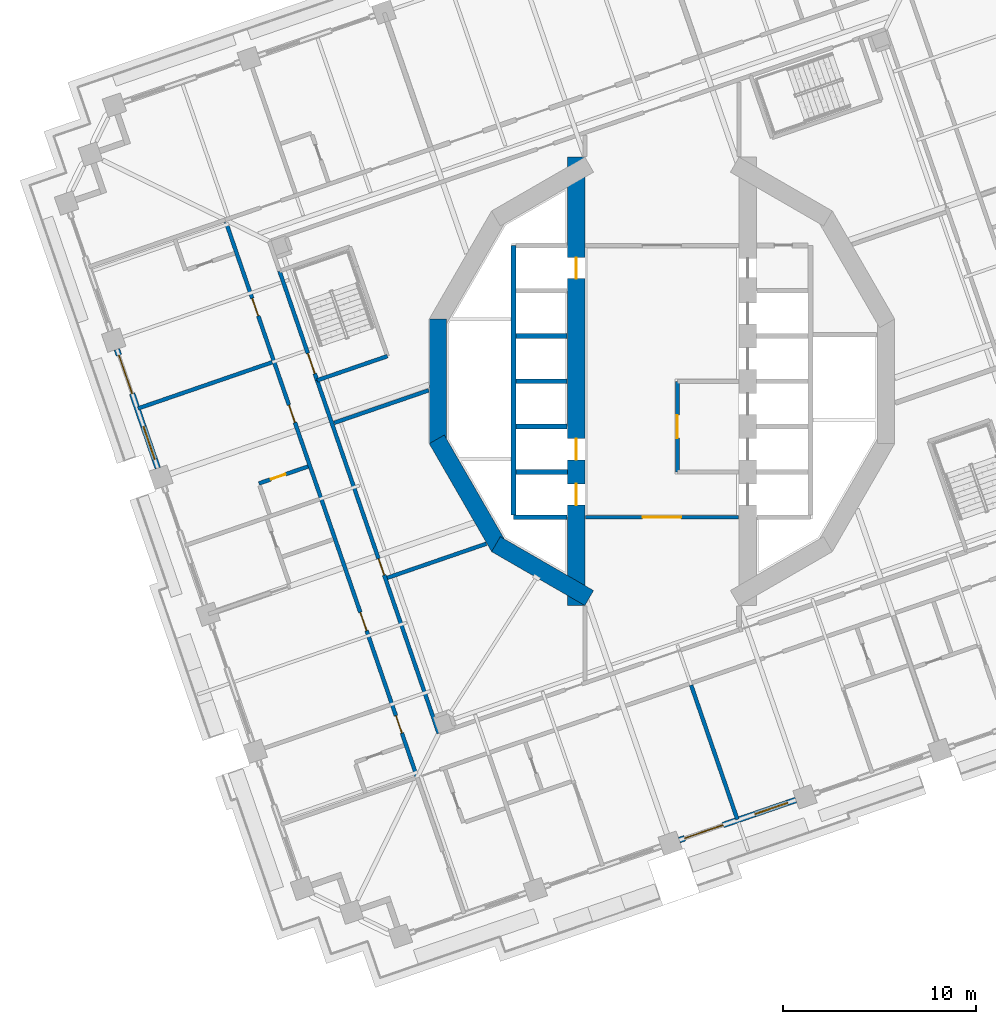
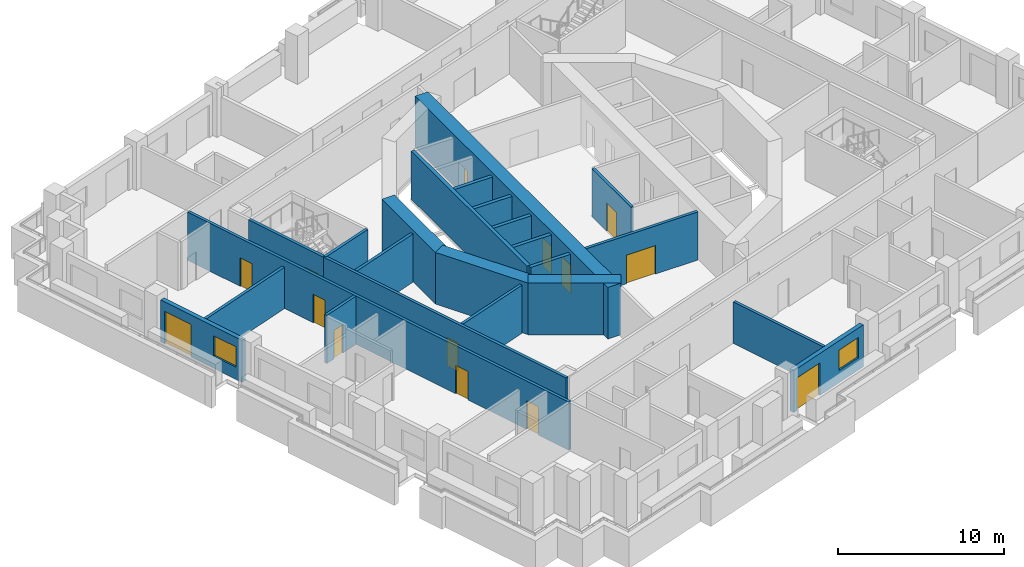
# One storey, part 5 of 18: 23 walls, 14 doors, 2 windows, 16 openings.
"""IFC4 building model written with IfcOpenShell, lengths in metres."""

from ifc_helpers import new_model, si_unit, direction, frame, frame_2d, origin, place, context, subcontext, project, spatial, rectangle, extrude, material, layer, layer_set, type_object, element, fill, save


model = new_model("IFC4")

# Units and contexts
model_context = context("Model", 3, precision=1e-05, world=origin(), true_north=direction((0.0, 1.0)))
body_context = subcontext(model_context, "Body", "Model", "MODEL_VIEW")
ifc_project = project(units=[si_unit("LENGTHUNIT", "METRE"), si_unit("AREAUNIT", "SQUARE_METRE"), si_unit("VOLUMEUNIT", "CUBIC_METRE"), si_unit("PLANEANGLEUNIT", "RADIAN"), si_unit("MASSUNIT", "GRAM", prefix="KILO")], contexts=[model_context])

# Site, building, storey
site_placement = place(None, origin())
site = spatial("IfcSite", under=ifc_project, at=site_placement, CompositionType="ELEMENT")
building_placement = place(site_placement, origin())
building = spatial("IfcBuilding", under=site, at=building_placement, Name="Cantera Rosa Tower", CompositionType="ELEMENT")
storey_placement = place(building_placement, frame((0.0, 0.0, 134.5)))
storey = spatial("IfcBuildingStorey", under=building, at=storey_placement, Name="L28", CompositionType="ELEMENT", Elevation=134.5)

# Wall, openings, doors
ifc_material_1 = material(Name="Gypsum board partition")
ifc_layer_1 = layer(ifc_material_1, 0.199951171875)
ifc_layer_set_1 = layer_set([ifc_layer_1], Name="CORRIDOR WALL 200 H3550")
wall_type_1 = type_object("IfcWallType", Name="CORRIDOR WALL 200 H3550", PredefinedType="PARTITIONING", material=ifc_layer_set_1)
wall_1_placement = place(storey_placement, frame((-22.623291015625, 8.264892578125, 0.0), z_axis=(0.0, 0.0, 1.0), x_axis=(0.325567058058, -0.945518953119, 0.0)))
wall_1 = element("IfcWall", 1, at=wall_1_placement, inside=storey, type_object=wall_type_1, Name="CORRIDOR WALL L28-003", PredefinedType="PARTITIONING", context=body_context, shape_type="SweptSolid", body=[
    extrude(rectangle(XDim=30.480224609375, YDim=0.199951171875, at=frame_2d((15.240234375, 0.0))), origin(), (0.0, 0.0, 1.0), 3.550048828125),
])
opening_1_placement = place(wall_1_placement, frame((4.195068359375, 0.0, 0.0)))
opening_1 = element("IfcOpeningElement", 2, at=opening_1_placement, cuts=wall_1, Name="Opening L28-030", PredefinedType="OPENING", context=body_context, shape_type="SweptSolid", body=[
    extrude(rectangle(XDim=0.949951171875, YDim=2.10009765625, at=frame_2d((0.47509765625, 1.050048828125))), frame((0.0, 0.10986328125, 0.0), z_axis=(0.0, -1.0, 0.0), x_axis=(1.0, 0.0, 0.0)), (0.0, 0.0, 1.0), 0.219970703125),
])
opening_2_placement = place(wall_1_placement, frame((10.044921875, 0.0, 0.0)))
opening_2 = element("IfcOpeningElement", 3, at=opening_2_placement, cuts=wall_1, Name="Opening L28-032", PredefinedType="OPENING", context=body_context, shape_type="SweptSolid", body=[
    extrude(rectangle(XDim=0.949951171875, YDim=2.10009765625, at=frame_2d((0.47509765625, 1.050048828125))), frame((0.0, 0.10986328125, 0.0), z_axis=(0.0, -1.0, 0.0), x_axis=(1.0, 0.0, 0.0)), (0.0, 0.0, 1.0), 0.219970703125),
])
opening_3_placement = place(wall_1_placement, frame((21.419921875, 0.0, 0.0)))
opening_3 = element("IfcOpeningElement", 4, at=opening_3_placement, cuts=wall_1, Name="Opening L28-034", PredefinedType="OPENING", context=body_context, shape_type="SweptSolid", body=[
    extrude(rectangle(XDim=1.0, YDim=2.10009765625, at=frame_2d((0.5, 1.050048828125))), frame((0.0, 0.10986328125, 0.0), z_axis=(0.0, -1.0, 0.0), x_axis=(1.0, 0.0, 0.0)), (0.0, 0.0, 1.0), 0.219970703125),
])
opening_4_placement = place(wall_1_placement, frame((27.094970703125, 0.0, 0.0)))
opening_4 = element("IfcOpeningElement", 5, at=opening_4_placement, cuts=wall_1, Name="Opening L28-037", PredefinedType="OPENING", context=body_context, shape_type="SweptSolid", body=[
    extrude(rectangle(XDim=0.949951171875, YDim=2.10009765625, at=frame_2d((0.47509765625, 1.050048828125))), frame((0.0, 0.10986328125, 0.0), z_axis=(0.0, -1.0, 0.0), x_axis=(1.0, 0.0, 0.0)), (0.0, 0.0, 1.0), 0.219970703125),
])
ifc_material_2 = material(Name="Timber door leaf", Category="wood")
door_type_1 = type_object("IfcDoorType", Name="ENTRANCE DOOR 1000x2100", OperationType="NOTDEFINED", PredefinedType="DOOR", material=ifc_material_2)
door_1_placement = place(opening_3_placement, origin())
door_1 = element("IfcDoor", 6, at=door_1_placement, inside=storey, type_object=door_type_1, Name="DOOR L28-034", OperationType="NOTDEFINED", OverallHeight=2.10009765625, OverallWidth=1.0, PredefinedType="DOOR", context=body_context, shape_type="SweptSolid", body=[
    extrude(rectangle(XDim=1.0, YDim=2.10009765625, at=frame_2d((0.5, 1.050048828125))), frame((0.0, 0.02490234375, 0.0), z_axis=(0.0, -1.0, 0.0), x_axis=(1.0, 0.0, 0.0)), (0.0, 0.0, 1.0), 0.050048828125),
])
fill(opening_3, door_1)
ifc_material_3 = material(Name="Timber door leaf", Category="wood")
door_type_2 = type_object("IfcDoorType", Name="ROOM DOOR 950x2100", OperationType="NOTDEFINED", PredefinedType="DOOR", material=ifc_material_3)
door_2_placement = place(opening_1_placement, origin())
door_2 = element("IfcDoor", 7, at=door_2_placement, inside=storey, type_object=door_type_2, Name="DOOR L28-030", OperationType="NOTDEFINED", OverallHeight=2.10009765625, OverallWidth=0.949951171875, PredefinedType="DOOR", context=body_context, shape_type="SweptSolid", body=[
    extrude(rectangle(XDim=0.949951171875, YDim=2.10009765625, at=frame_2d((0.47509765625, 1.050048828125))), frame((0.0, 0.02490234375, 0.0), z_axis=(0.0, -1.0, 0.0), x_axis=(1.0, 0.0, 0.0)), (0.0, 0.0, 1.0), 0.050048828125),
])
fill(opening_1, door_2)
door_3_placement = place(opening_2_placement, origin())
door_3 = element("IfcDoor", 8, at=door_3_placement, inside=storey, type_object=door_type_2, Name="DOOR L28-032", OperationType="NOTDEFINED", OverallHeight=2.10009765625, OverallWidth=0.949951171875, PredefinedType="DOOR", context=body_context, shape_type="SweptSolid", body=[
    extrude(rectangle(XDim=0.949951171875, YDim=2.10009765625, at=frame_2d((0.47509765625, 1.050048828125))), frame((0.0, 0.02490234375, 0.0), z_axis=(0.0, -1.0, 0.0), x_axis=(1.0, 0.0, 0.0)), (0.0, 0.0, 1.0), 0.050048828125),
])
fill(opening_2, door_3)
door_4_placement = place(opening_4_placement, origin())
door_4 = element("IfcDoor", 9, at=door_4_placement, inside=storey, type_object=door_type_2, Name="DOOR L28-037", OperationType="NOTDEFINED", OverallHeight=2.10009765625, OverallWidth=0.949951171875, PredefinedType="DOOR", context=body_context, shape_type="SweptSolid", body=[
    extrude(rectangle(XDim=0.949951171875, YDim=2.10009765625, at=frame_2d((0.47509765625, 1.050048828125))), frame((0.0, 0.02490234375, 0.0), z_axis=(0.0, -1.0, 0.0), x_axis=(1.0, 0.0, 0.0)), (0.0, 0.0, 1.0), 0.050048828125),
])
fill(opening_4, door_4)

# Wall, opening, door
wall_2_placement = place(storey_placement, frame((-17.8916015625, 0.05126953125, 0.0), z_axis=(0.0, 0.0, 1.0), x_axis=(0.325580537834, -0.94551431157, 0.0)))
wall_2 = element("IfcWall", 10, at=wall_2_placement, inside=storey, type_object=wall_type_1, Name="CORRIDOR WALL L28-019", PredefinedType="PARTITIONING", context=body_context, shape_type="SweptSolid", body=[
    extrude(rectangle(XDim=19.37353515625, YDim=0.199951171875, at=frame_2d((9.686767578125, 0.0))), origin(), (0.0, 0.0, 1.0), 3.550048828125),
])
opening_5_placement = place(wall_2_placement, frame((9.785888671875, 0.0, 0.0)))
opening_5 = element("IfcOpeningElement", 11, at=opening_5_placement, cuts=wall_2, Name="Opening L28-006", PredefinedType="OPENING", context=body_context, shape_type="SweptSolid", body=[
    extrude(rectangle(XDim=0.89990234375, YDim=2.10009765625, at=frame_2d((0.449951171875, 1.050048828125))), frame((0.0, 0.10986328125, 0.0), z_axis=(0.0, -1.0, 0.0), x_axis=(1.0, 0.0, 0.0)), (0.0, 0.0, 1.0), 0.219970703125),
])
ifc_material_4 = material(Name="Timber door leaf", Category="wood")
door_type_3 = type_object("IfcDoorType", Name="SERVICE DOOR 900x2100", OperationType="NOTDEFINED", PredefinedType="DOOR", material=ifc_material_4)
door_5_placement = place(opening_5_placement, origin())
door_5 = element("IfcDoor", 12, at=door_5_placement, inside=storey, type_object=door_type_3, Name="DOOR L28-006", OperationType="NOTDEFINED", OverallHeight=2.10009765625, OverallWidth=0.89990234375, PredefinedType="DOOR", context=body_context, shape_type="SweptSolid", body=[
    extrude(rectangle(XDim=0.89990234375, YDim=2.10009765625, at=frame_2d((0.449951171875, 1.050048828125))), frame((0.0, 0.02490234375, 0.0), z_axis=(0.0, -1.0, 0.0), x_axis=(1.0, 0.0, 0.0)), (0.0, 0.0, 1.0), 0.050048828125),
])
fill(opening_5, door_5)

wall_3_placement = place(storey_placement, frame((3.969970703125, -7.050048828125, 0.0), z_axis=(0.0, 0.0, 1.0), x_axis=(-1.0, 0.0, 0.0)))
wall_3 = element("IfcWall", 13, at=wall_3_placement, inside=storey, type_object=wall_type_1, Name="CORRIDOR WALL L28-056", PredefinedType="PARTITIONING", context=body_context, shape_type="SweptSolid", body=[
    extrude(rectangle(XDim=7.93994140625, YDim=0.199951171875, at=frame_2d((3.969970703125, 0.0))), origin(), (0.0, 0.0, 1.0), 3.550048828125),
])
opening_6_placement = place(wall_3_placement, frame((2.969970703125, 0.0, 0.0)))
opening_6 = element("IfcOpeningElement", 14, at=opening_6_placement, cuts=wall_3, Name="Opening L28-013", PredefinedType="OPENING", context=body_context, shape_type="SweptSolid", body=[
    extrude(rectangle(XDim=2.0, YDim=2.10009765625, at=frame_2d((1.0, 1.050048828125))), frame((0.0, 0.10986328125, 0.0), z_axis=(0.0, -1.0, 0.0), x_axis=(1.0, 0.0, 0.0)), (0.0, 0.0, 1.0), 0.219970703125),
])
ifc_material_5 = material(Name="Steel S355J2 (EN 10025-2)", Category="steel")
door_type_4 = type_object("IfcDoorType", Name="LOBBY SCREEN DOOR 2000x2100", OperationType="NOTDEFINED", PredefinedType="DOOR", material=ifc_material_5)
door_6_placement = place(opening_6_placement, origin())
door_6 = element("IfcDoor", 15, at=door_6_placement, inside=storey, type_object=door_type_4, Name="DOOR L28-013", OperationType="NOTDEFINED", OverallHeight=2.10009765625, OverallWidth=2.0, PredefinedType="DOOR", context=body_context, shape_type="SweptSolid", body=[
    extrude(rectangle(XDim=2.0, YDim=2.10009765625, at=frame_2d((1.0, 1.050048828125))), frame((0.0, 0.02490234375, 0.0), z_axis=(0.0, -1.0, 0.0), x_axis=(1.0, 0.0, 0.0)), (0.0, 0.0, 1.0), 0.050048828125),
])
fill(opening_6, door_6)

# Wall, openings, window, door
ifc_material_6 = material(Name="Hollow clay masonry with cantera stone cladding", Category="masonry")
ifc_layer_2 = layer(ifc_material_6, 0.300048828125)
ifc_layer_set_2 = layer_set([ifc_layer_2], Name="EW-LOGGIA 300 H3090")
wall_type_2 = type_object("IfcWallType", Name="EW-LOGGIA 300 H3090", PredefinedType="SOLIDWALL", material=ifc_layer_set_2)
wall_4_placement = place(storey_placement, frame((-28.2822265625, 1.662841796875, 0.0), z_axis=(0.0, 0.0, 1.0), x_axis=(0.325580990241, -0.945514155787, 0.0)))
wall_4 = element("IfcWall", 16, at=wall_4_placement, inside=storey, type_object=wall_type_2, Name="EN-L28-W17", PredefinedType="SOLIDWALL", context=body_context, shape_type="SweptSolid", body=[
    extrude(rectangle(XDim=6.52001953125, YDim=0.300048828125, at=frame_2d((3.260009765625, 0.0))), origin(), (0.0, 0.0, 1.0), 3.090087890625),
])
opening_7_placement = place(wall_4_placement, frame((0.330078125, 0.0, 0.0)))
opening_7 = element("IfcOpeningElement", 17, at=opening_7_placement, cuts=wall_4, Name="Opening L28-TD21", PredefinedType="OPENING", context=body_context, shape_type="SweptSolid", body=[
    extrude(rectangle(XDim=2.10009765625, YDim=2.39990234375, at=frame_2d((1.050048828125, 1.199951171875))), frame((0.0, 0.159912109375, 0.0), z_axis=(0.0, -1.0, 0.0), x_axis=(1.0, 0.0, 0.0)), (0.0, 0.0, 1.0), 0.320068359375),
])
opening_8_placement = place(wall_4_placement, frame((4.239990234375, 0.0, 0.89990234375)))
opening_8 = element("IfcOpeningElement", 18, at=opening_8_placement, cuts=wall_4, Name="Opening L28-W22", PredefinedType="OPENING", context=body_context, shape_type="SweptSolid", body=[
    extrude(rectangle(XDim=1.800048828125, YDim=1.5, at=frame_2d((0.89990234375, 0.75))), frame((0.0, 0.159912109375, 0.0), z_axis=(0.0, -1.0, 0.0), x_axis=(1.0, 0.0, 0.0)), (0.0, 0.0, 1.0), 0.320068359375),
])
ifc_material_7 = material(Name="Aluminium frame with clear glass", Category="aluminium")
window_type = type_object("IfcWindowType", Name="Hotel room window 1800x1500", PartitioningType="DOUBLE_PANEL_VERTICAL", PredefinedType="WINDOW", material=ifc_material_7)
window_1_placement = place(opening_8_placement, origin())
window_1 = element("IfcWindow", 19, at=window_1_placement, inside=storey, type_object=window_type, Name="WINDOW L28-W22", OverallHeight=1.5, OverallWidth=1.800048828125, PartitioningType="SINGLE_PANEL", PredefinedType="WINDOW", context=body_context, shape_type="SweptSolid", body=[
    extrude(rectangle(XDim=1.800048828125, YDim=1.5, at=frame_2d((0.89990234375, 0.75))), frame((0.0, 0.030029296875, 0.0), z_axis=(0.0, -1.0, 0.0), x_axis=(1.0, 0.0, 0.0)), (0.0, 0.0, 1.0), 0.06005859375),
])
fill(opening_8, window_1)
ifc_material_8 = material(Name="Aluminium frame with clear glass", Category="aluminium")
door_type_5 = type_object("IfcDoorType", Name="TD-H 2100x2400", OperationType="NOTDEFINED", PredefinedType="DOOR", material=ifc_material_8)
door_7_placement = place(opening_7_placement, origin())
door_7 = element("IfcDoor", 20, at=door_7_placement, inside=storey, type_object=door_type_5, Name="LOGGIA DOOR L28-TD21", OperationType="SLIDING_TO_LEFT", OverallHeight=2.39990234375, OverallWidth=2.10009765625, PredefinedType="DOOR", context=body_context, shape_type="SweptSolid", body=[
    extrude(rectangle(XDim=2.10009765625, YDim=2.39990234375, at=frame_2d((1.050048828125, 1.199951171875))), frame((0.0, 0.02490234375, 0.0), z_axis=(0.0, -1.0, 0.0), x_axis=(1.0, 0.0, 0.0)), (0.0, 0.0, 1.0), 0.050048828125),
])
fill(opening_7, door_7)

wall_5_placement = place(storey_placement, frame((0.89892578125, -23.80419921875, 0.0), z_axis=(0.0, 0.0, 1.0), x_axis=(0.945524496524, 0.325550958337, 0.0)))
wall_5 = element("IfcWall", 21, at=wall_5_placement, inside=storey, type_object=wall_type_2, Name="EN-L28-W25", PredefinedType="SOLIDWALL", context=body_context, shape_type="SweptSolid", body=[
    extrude(rectangle(XDim=6.39990234375, YDim=0.300048828125, at=frame_2d((3.199951171875, 0.0))), origin(), (0.0, 0.0, 1.0), 3.090087890625),
])
opening_9_placement = place(wall_5_placement, frame((0.300048828125, 0.0, 0.0)))
opening_9 = element("IfcOpeningElement", 22, at=opening_9_placement, cuts=wall_5, Name="Opening L28-TD33", PredefinedType="OPENING", context=body_context, shape_type="SweptSolid", body=[
    extrude(rectangle(XDim=2.10009765625, YDim=2.39990234375, at=frame_2d((1.050048828125, 1.199951171875))), frame((0.0, 0.159912109375, 0.0), z_axis=(0.0, -1.0, 0.0), x_axis=(1.0, 0.0, 0.0)), (0.0, 0.0, 1.0), 0.320068359375),
])
opening_10_placement = place(wall_5_placement, frame((4.14990234375, 0.0, 0.89990234375)))
opening_10 = element("IfcOpeningElement", 23, at=opening_10_placement, cuts=wall_5, Name="Opening L28-W34", PredefinedType="OPENING", context=body_context, shape_type="SweptSolid", body=[
    extrude(rectangle(XDim=1.800048828125, YDim=1.5, at=frame_2d((0.89990234375, 0.75))), frame((0.0, 0.159912109375, 0.0), z_axis=(0.0, -1.0, 0.0), x_axis=(1.0, 0.0, 0.0)), (0.0, 0.0, 1.0), 0.320068359375),
])
window_2_placement = place(opening_10_placement, origin())
window_2 = element("IfcWindow", 24, at=window_2_placement, inside=storey, type_object=window_type, Name="WINDOW L28-W34", OverallHeight=1.5, OverallWidth=1.800048828125, PartitioningType="SINGLE_PANEL", PredefinedType="WINDOW", context=body_context, shape_type="SweptSolid", body=[
    extrude(rectangle(XDim=1.800048828125, YDim=1.5, at=frame_2d((0.89990234375, 0.75))), frame((0.0, 0.030029296875, 0.0), z_axis=(0.0, -1.0, 0.0), x_axis=(1.0, 0.0, 0.0)), (0.0, 0.0, 1.0), 0.06005859375),
])
fill(opening_10, window_2)
door_8_placement = place(opening_9_placement, origin())
door_8 = element("IfcDoor", 25, at=door_8_placement, inside=storey, type_object=door_type_5, Name="LOGGIA DOOR L28-TD33", OperationType="SLIDING_TO_LEFT", OverallHeight=2.39990234375, OverallWidth=2.10009765625, PredefinedType="DOOR", context=body_context, shape_type="SweptSolid", body=[
    extrude(rectangle(XDim=2.10009765625, YDim=2.39990234375, at=frame_2d((1.050048828125, 1.199951171875))), frame((0.0, 0.02490234375, 0.0), z_axis=(0.0, -1.0, 0.0), x_axis=(1.0, 0.0, 0.0)), (0.0, 0.0, 1.0), 0.050048828125),
])
fill(opening_9, door_8)

# Wall, opening, door
ifc_material_9 = material(Name="Gypsum board partition")
ifc_layer_3 = layer(ifc_material_9, 0.199951171875)
ifc_layer_set_3 = layer_set([ifc_layer_3], Name="PARTITION 200 H3550")
wall_type_3 = type_object("IfcWallType", Name="PARTITION 200 H3550", PredefinedType="PARTITIONING", material=ifc_layer_set_3)
wall_6_placement = place(storey_placement, frame((-20.914794921875, -5.2978515625, 0.0), z_axis=(0.0, 0.0, 1.0), x_axis=(0.945508383903, 0.325597751787, 0.0)))
wall_6 = element("IfcWall", 26, at=wall_6_placement, inside=storey, type_object=wall_type_3, Name="PARTITION L28-005", PredefinedType="PARTITIONING", context=body_context, shape_type="SweptSolid", body=[
    extrude(rectangle(XDim=2.7001953125, YDim=0.199951171875, at=frame_2d((1.35009765625, 0.0))), origin(), (0.0, 0.0, 1.0), 3.550048828125),
])
opening_11_placement = place(wall_6_placement, frame((0.6640625, 0.0, 0.0)))
opening_11 = element("IfcOpeningElement", 27, at=opening_11_placement, cuts=wall_6, Name="Opening L28-033", PredefinedType="OPENING", context=body_context, shape_type="SweptSolid", body=[
    extrude(rectangle(XDim=0.800048828125, YDim=2.10009765625, at=frame_2d((0.39990234375, 1.050048828125))), frame((0.0, 0.10986328125, 0.0), z_axis=(0.0, -1.0, 0.0), x_axis=(1.0, 0.0, 0.0)), (0.0, 0.0, 1.0), 0.219970703125),
])
ifc_material_10 = material(Name="Timber door leaf", Category="wood")
door_type_6 = type_object("IfcDoorType", Name="BATHROOM DOOR 800x2100", OperationType="NOTDEFINED", PredefinedType="DOOR", material=ifc_material_10)
door_9_placement = place(opening_11_placement, origin())
door_9 = element("IfcDoor", 28, at=door_9_placement, inside=storey, type_object=door_type_6, Name="DOOR L28-033", OperationType="NOTDEFINED", OverallHeight=2.10009765625, OverallWidth=0.800048828125, PredefinedType="DOOR", context=body_context, shape_type="SweptSolid", body=[
    extrude(rectangle(XDim=0.800048828125, YDim=2.10009765625, at=frame_2d((0.39990234375, 1.050048828125))), frame((0.0, 0.02490234375, 0.0), z_axis=(0.0, -1.0, 0.0), x_axis=(1.0, 0.0, 0.0)), (0.0, 0.0, 1.0), 0.050048828125),
])
fill(opening_11, door_9)

# Walls
wall_7_placement = place(storey_placement, frame((-12.10400390625, -0.466064453125, 0.0), z_axis=(0.0, 0.0, 1.0), x_axis=(-0.945514533015, -0.325579894737, 0.0)))
element("IfcWall", 29, at=wall_7_placement, inside=storey, type_object=wall_type_3, Name="PARTITION L28-030", PredefinedType="PARTITIONING", context=body_context, shape_type="SweptSolid", body=[
    extrude(rectangle(XDim=5.183837890625, YDim=0.199951171875, at=frame_2d((2.591796875, 0.0))), origin(), (0.0, 0.0, 1.0), 3.550048828125),
])
wall_8_placement = place(storey_placement, frame((-9.112060546875, -8.425537109375, 0.0), z_axis=(0.0, 0.0, 1.0), x_axis=(-0.945518793757, -0.32556752088, 0.0)))
element("IfcWall", 30, at=wall_8_placement, inside=storey, type_object=wall_type_3, Name="PARTITION L28-035", PredefinedType="PARTITIONING", context=body_context, shape_type="SweptSolid", body=[
    extrude(rectangle(XDim=5.441162109375, YDim=0.199951171875, at=frame_2d((2.720703125, 0.0))), origin(), (0.0, 0.0, 1.0), 3.550048828125),
])
ifc_material_11 = material(Name="Gypsum board partition")
ifc_layer_4 = layer(ifc_material_11, 0.199951171875)
ifc_layer_set_4 = layer_set([ifc_layer_4], Name="PARTY WALL 200 H3050")
wall_type_4 = type_object("IfcWallType", Name="PARTY WALL 200 H3050", PredefinedType="PARTITIONING", material=ifc_layer_set_4)
wall_9_placement = place(storey_placement, frame((-20.22412109375, 0.989501953125, 0.0), z_axis=(0.0, 0.0, 1.0), x_axis=(-0.945516523202, -0.32557411499, 0.0)))
element("IfcWall", 31, at=wall_9_placement, inside=storey, type_object=wall_type_4, Name="PARTY WALL L28-009", PredefinedType="PARTITIONING", context=body_context, shape_type="SweptSolid", body=[
    extrude(rectangle(XDim=7.369873046875, YDim=0.199951171875, at=frame_2d((3.68505859375, 0.0))), origin(), (0.0, 0.0, 1.0), 3.050048828125),
])
wall_10_placement = place(storey_placement, frame((1.515380859375, -15.765625, 0.0), z_axis=(0.0, 0.0, 1.0), x_axis=(0.325563917555, -0.945520034471, 0.0)))
element("IfcWall", 32, at=wall_10_placement, inside=storey, type_object=wall_type_4, Name="PARTY WALL L28-054", PredefinedType="PARTITIONING", context=body_context, shape_type="SweptSolid", body=[
    extrude(rectangle(XDim=7.3701171875, YDim=0.199951171875, at=frame_2d((3.68505859375, 0.0))), origin(), (0.0, 0.0, 1.0), 3.050048828125),
])
ifc_material_12 = material(Name="Concrete C70/85", Category="concrete")
ifc_layer_5 = layer(ifc_material_12, 0.89990234375)
ifc_layer_set_5 = layer_set([ifc_layer_5], Name="RC CORE WALL 900 C70/85")
wall_type_5 = type_object("IfcWallType", Name="RC CORE WALL 900 C70/85", PredefinedType="SHEAR", material=ifc_layer_set_5)
wall_11_placement = place(storey_placement, frame((-3.77490234375, -11.242919921875, 0.0), z_axis=(0.0, 0.0, 1.0), x_axis=(-0.866026961591, 0.49999730179, 0.0)))
element("IfcWall", 33, at=wall_11_placement, inside=storey, type_object=wall_type_5, Name="CW-W1 L28", PredefinedType="SHEAR", context=body_context, shape_type="SweptSolid", body=[
    extrude(rectangle(XDim=5.58740234375, YDim=0.89990234375, at=frame_2d((2.793701171875, 0.0))), origin(), (0.0, 0.0, 1.0), 3.800048828125),
])
wall_12_placement = place(storey_placement, frame((-8.44921875, -8.61376953125, 0.0), z_axis=(0.0, 0.0, 1.0), x_axis=(-0.499990282633, 0.866031014036, 0.0)))
element("IfcWall", 34, at=wall_12_placement, inside=storey, type_object=wall_type_5, Name="CW-W2 L28", PredefinedType="SHEAR", context=body_context, shape_type="SweptSolid", body=[
    extrude(rectangle(XDim=6.470458984375, YDim=0.89990234375, at=frame_2d((3.2353515625, 0.0))), origin(), (0.0, 0.0, 1.0), 3.800048828125),
])
wall_13_placement = place(storey_placement, frame((-11.6240234375, -3.2353515625, 0.0), z_axis=(0.0, 0.0, 1.0), x_axis=(0.0, 1.0, 0.0)))
element("IfcWall", 35, at=wall_13_placement, inside=storey, type_object=wall_type_5, Name="CW-W3 L28", PredefinedType="SHEAR", context=body_context, shape_type="SweptSolid", body=[
    extrude(rectangle(XDim=6.470703125, YDim=0.89990234375, at=frame_2d((3.2353515625, 0.0))), origin(), (0.0, 0.0, 1.0), 3.800048828125),
])

# Wall, openings, doors
wall_14_placement = place(storey_placement, frame((-4.449951171875, 11.632568359375, 0.0), z_axis=(0.0, 0.0, 1.0), x_axis=(0.0, -1.0, 0.0)))
wall_14 = element("IfcWall", 36, at=wall_14_placement, inside=storey, type_object=wall_type_5, Name="CW-W6 L28", PredefinedType="SHEAR", context=body_context, shape_type="SweptSolid", body=[
    extrude(rectangle(XDim=23.26513671875, YDim=0.89990234375, at=frame_2d((11.632568359375, 0.0))), origin(), (0.0, 0.0, 1.0), 3.800048828125),
])
opening_12_placement = place(wall_14_placement, frame((14.607421875, 0.0, 0.0)))
opening_12 = element("IfcOpeningElement", 37, at=opening_12_placement, cuts=wall_14, Name="Opening LD-P3-L28", PredefinedType="OPENING", context=body_context, shape_type="SweptSolid", body=[
    extrude(rectangle(XDim=1.10009765625, YDim=2.10009765625, at=frame_2d((0.550048828125, 1.050048828125))), frame((0.0, 0.4599609375, 0.0), z_axis=(0.0, -1.0, 0.0), x_axis=(1.0, 0.0, 0.0)), (0.0, 0.0, 1.0), 0.919921875),
])
opening_13_placement = place(wall_14_placement, frame((16.95751953125, 0.0, 0.0)))
opening_13 = element("IfcOpeningElement", 38, at=opening_13_placement, cuts=wall_14, Name="Opening LD-P4-L28", PredefinedType="OPENING", context=body_context, shape_type="SweptSolid", body=[
    extrude(rectangle(XDim=1.10009765625, YDim=2.10009765625, at=frame_2d((0.550048828125, 1.050048828125))), frame((0.0, 0.4599609375, 0.0), z_axis=(0.0, -1.0, 0.0), x_axis=(1.0, 0.0, 0.0)), (0.0, 0.0, 1.0), 0.919921875),
])
opening_14_placement = place(wall_14_placement, frame((5.20751953125, 0.0, 0.0)))
opening_14 = element("IfcOpeningElement", 39, at=opening_14_placement, cuts=wall_14, Name="Opening LD-P5-L28", PredefinedType="OPENING", context=body_context, shape_type="SweptSolid", body=[
    extrude(rectangle(XDim=1.10009765625, YDim=2.10009765625, at=frame_2d((0.550048828125, 1.050048828125))), frame((0.0, 0.4599609375, 0.0), z_axis=(0.0, -1.0, 0.0), x_axis=(1.0, 0.0, 0.0)), (0.0, 0.0, 1.0), 0.919921875),
])
ifc_material_13 = material(Name="Steel S355J2 (EN 10025-2)", Category="steel")
door_type_7 = type_object("IfcDoorType", Name="LANDING DOOR 1100x2100", OperationType="NOTDEFINED", PredefinedType="DOOR", material=ifc_material_13)
door_10_placement = place(opening_12_placement, origin())
door_10 = element("IfcDoor", 40, at=door_10_placement, inside=storey, type_object=door_type_7, Name="LANDING DOOR P3 L28", OperationType="SLIDING_TO_LEFT", OverallHeight=2.10009765625, OverallWidth=1.10009765625, PredefinedType="DOOR", context=body_context, shape_type="SweptSolid", body=[
    extrude(rectangle(XDim=1.10009765625, YDim=2.10009765625, at=frame_2d((0.550048828125, 1.050048828125))), frame((0.0, 0.02490234375, 0.0), z_axis=(0.0, -1.0, 0.0), x_axis=(1.0, 0.0, 0.0)), (0.0, 0.0, 1.0), 0.050048828125),
])
fill(opening_12, door_10)
door_11_placement = place(opening_13_placement, origin())
door_11 = element("IfcDoor", 41, at=door_11_placement, inside=storey, type_object=door_type_7, Name="LANDING DOOR P4 L28", OperationType="SLIDING_TO_LEFT", OverallHeight=2.10009765625, OverallWidth=1.10009765625, PredefinedType="DOOR", context=body_context, shape_type="SweptSolid", body=[
    extrude(rectangle(XDim=1.10009765625, YDim=2.10009765625, at=frame_2d((0.550048828125, 1.050048828125))), frame((0.0, 0.02490234375, 0.0), z_axis=(0.0, -1.0, 0.0), x_axis=(1.0, 0.0, 0.0)), (0.0, 0.0, 1.0), 0.050048828125),
])
fill(opening_13, door_11)
door_12_placement = place(opening_14_placement, origin())
door_12 = element("IfcDoor", 42, at=door_12_placement, inside=storey, type_object=door_type_7, Name="LANDING DOOR P5 L28", OperationType="SLIDING_TO_LEFT", OverallHeight=2.10009765625, OverallWidth=1.10009765625, PredefinedType="DOOR", context=body_context, shape_type="SweptSolid", body=[
    extrude(rectangle(XDim=1.10009765625, YDim=2.10009765625, at=frame_2d((0.550048828125, 1.050048828125))), frame((0.0, 0.02490234375, 0.0), z_axis=(0.0, -1.0, 0.0), x_axis=(1.0, 0.0, 0.0)), (0.0, 0.0, 1.0), 0.050048828125),
])
fill(opening_14, door_12)

# Walls
ifc_material_14 = material(Name="Masonry blockwork", Category="masonry")
ifc_layer_6 = layer(ifc_material_14, 0.25)
ifc_layer_set_6 = layer_set([ifc_layer_6], Name="SHAFT WALL 250 H3550")
wall_type_6 = type_object("IfcWallType", Name="SHAFT WALL 250 H3550", PredefinedType="SOLIDWALL", material=ifc_layer_set_6)
wall_15_placement = place(storey_placement, frame((-7.699951171875, -7.050048828125, 0.0), z_axis=(0.0, 0.0, 1.0), x_axis=(1.0, 0.0, 0.0)))
element("IfcWall", 43, at=wall_15_placement, inside=storey, type_object=wall_type_6, Name="SHAFT WALL L28-037", PredefinedType="SOLIDWALL", context=body_context, shape_type="SweptSolid", body=[
    extrude(rectangle(XDim=2.77001953125, YDim=0.25, at=frame_2d((1.385009765625, 0.0))), origin(), (0.0, 0.0, 1.0), 3.550048828125),
])
wall_16_placement = place(storey_placement, frame((-7.574951171875, -4.699951171875, 0.0), z_axis=(0.0, 0.0, 1.0), x_axis=(1.0, 0.0, 0.0)))
element("IfcWall", 44, at=wall_16_placement, inside=storey, type_object=wall_type_6, Name="SHAFT WALL L28-038", PredefinedType="SOLIDWALL", context=body_context, shape_type="SweptSolid", body=[
    extrude(rectangle(XDim=2.675048828125, YDim=0.25, at=frame_2d((1.33740234375, 0.0))), origin(), (0.0, 0.0, 1.0), 3.550048828125),
])
for number, where, z_axis, x_axis, name in (
    (45, (-7.574951171875, -2.35009765625, 0.0), (0.0, 0.0, 1.0), (1.0, 0.0, 0.0), "SHAFT WALL L28-039"),
    (46, (-7.574951171875, 0.0, 0.0), (0.0, 0.0, 1.0), (1.0, 0.0, 0.0), "SHAFT WALL L28-040"),
    (47, (-7.574951171875, 2.35009765625, 0.0), (0.0, 0.0, 1.0), (1.0, 0.0, 0.0), "SHAFT WALL L28-041"),
):
    element("IfcWall", number, at=place(storey_placement, frame(where, z_axis=z_axis, x_axis=x_axis)), inside=storey, type_object=wall_type_6, Name=name, PredefinedType="SOLIDWALL", context=body_context, shape_type="SweptSolid", body=[
        extrude(rectangle(XDim=2.64501953125, YDim=0.25, at=frame_2d((1.322509765625, 0.0))), origin(), (0.0, 0.0, 1.0), 3.550048828125),
    ])
wall_17_placement = place(storey_placement, frame((-7.699951171875, 7.050048828125, 0.0), z_axis=(0.0, 0.0, 1.0), x_axis=(0.0, -1.0, 0.0)))
element("IfcWall", 48, at=wall_17_placement, inside=storey, type_object=wall_type_6, Name="SHAFT WALL L28-043", PredefinedType="SOLIDWALL", context=body_context, shape_type="SweptSolid", body=[
    extrude(rectangle(XDim=13.97998046875, YDim=0.25, at=frame_2d((6.989990234375, 0.0))), origin(), (0.0, 0.0, 1.0), 3.550048828125),
])

# Wall, opening, door
ifc_material_15 = material(Name="Concrete C50/60", Category="concrete")
ifc_layer_7 = layer(ifc_material_15, 0.199951171875)
ifc_layer_set_7 = layer_set([ifc_layer_7], Name="STAIR WALL 200 H3550")
wall_type_7 = type_object("IfcWallType", Name="STAIR WALL 200 H3550", PredefinedType="SOLIDWALL", material=ifc_layer_set_7)
wall_18_placement = place(storey_placement, frame((-19.844970703125, 5.724365234375, 0.0), z_axis=(0.0, 0.0, 1.0), x_axis=(0.325563034341, -0.945520338581, 0.0)))
wall_18 = element("IfcWall", 49, at=wall_18_placement, inside=storey, type_object=wall_type_7, Name="STAIR WALL L28-012", PredefinedType="SOLIDWALL", context=body_context, shape_type="SweptSolid", body=[
    extrude(rectangle(XDim=6.0, YDim=0.199951171875, at=frame_2d((3.0, 0.0))), origin(), (0.0, 0.0, 1.0), 3.550048828125),
])
opening_15_placement = place(wall_18_placement, frame((4.52490234375, 0.0, 0.0)))
opening_15 = element("IfcOpeningElement", 50, at=opening_15_placement, cuts=wall_18, Name="Opening L28-002", PredefinedType="OPENING", context=body_context, shape_type="SweptSolid", body=[
    extrude(rectangle(XDim=1.10009765625, YDim=2.10009765625, at=frame_2d((0.550048828125, 1.050048828125))), frame((0.0, 0.10986328125, 0.0), z_axis=(0.0, -1.0, 0.0), x_axis=(1.0, 0.0, 0.0)), (0.0, 0.0, 1.0), 0.219970703125),
])
ifc_material_16 = material(Name="Steel S355J2 (EN 10025-2)", Category="steel")
door_type_8 = type_object("IfcDoorType", Name="STAIR DOOR 1100x2100", OperationType="NOTDEFINED", PredefinedType="DOOR", material=ifc_material_16)
door_13_placement = place(opening_15_placement, origin())
door_13 = element("IfcDoor", 51, at=door_13_placement, inside=storey, type_object=door_type_8, Name="DOOR L28-002", OperationType="NOTDEFINED", OverallHeight=2.10009765625, OverallWidth=1.10009765625, PredefinedType="DOOR", context=body_context, shape_type="SweptSolid", body=[
    extrude(rectangle(XDim=1.10009765625, YDim=2.10009765625, at=frame_2d((0.550048828125, 1.050048828125))), frame((0.0, 0.02490234375, 0.0), z_axis=(0.0, -1.0, 0.0), x_axis=(1.0, 0.0, 0.0)), (0.0, 0.0, 1.0), 0.050048828125),
])
fill(opening_15, door_13)

# Wall
wall_19_placement = place(storey_placement, frame((-17.8916015625, 0.05126953125, 0.0), z_axis=(0.0, 0.0, 1.0), x_axis=(0.945514621213, 0.325579638603, 0.0)))
element("IfcWall", 52, at=wall_19_placement, inside=storey, type_object=wall_type_7, Name="STAIR WALL L28-018", PredefinedType="SOLIDWALL", context=body_context, shape_type="SweptSolid", body=[
    extrude(rectangle(XDim=3.862548828125, YDim=0.199951171875, at=frame_2d((1.93115234375, 0.0))), origin(), (0.0, 0.0, 1.0), 3.550048828125),
])

# Wall, opening, door
wall_20_placement = place(storey_placement, frame((0.800048828125, -4.699951171875, 0.0), z_axis=(0.0, 0.0, 1.0), x_axis=(0.0, 1.0, 0.0)))
wall_20 = element("IfcWall", 53, at=wall_20_placement, inside=storey, type_object=wall_type_7, Name="STAIR WALL L28-052", PredefinedType="SOLIDWALL", context=body_context, shape_type="SweptSolid", body=[
    extrude(rectangle(XDim=4.699951171875, YDim=0.199951171875, at=frame_2d((2.35009765625, 0.0))), origin(), (0.0, 0.0, 1.0), 3.550048828125),
])
opening_16_placement = place(wall_20_placement, frame((1.75, 0.0, 0.0)))
opening_16 = element("IfcOpeningElement", 54, at=opening_16_placement, cuts=wall_20, Name="Opening L28-014", PredefinedType="OPENING", context=body_context, shape_type="SweptSolid", body=[
    extrude(rectangle(XDim=1.199951171875, YDim=2.10009765625, at=frame_2d((0.60009765625, 1.050048828125))), frame((0.0, 0.10986328125, 0.0), z_axis=(0.0, -1.0, 0.0), x_axis=(1.0, 0.0, 0.0)), (0.0, 0.0, 1.0), 0.219970703125),
])
ifc_material_17 = material(Name="Steel S355J2 (EN 10025-2)", Category="steel")
door_type_9 = type_object("IfcDoorType", Name="FIRE DOOR 1200x2100", OperationType="NOTDEFINED", PredefinedType="DOOR", material=ifc_material_17)
door_14_placement = place(opening_16_placement, origin())
door_14 = element("IfcDoor", 55, at=door_14_placement, inside=storey, type_object=door_type_9, Name="DOOR L28-014", OperationType="NOTDEFINED", OverallHeight=2.10009765625, OverallWidth=1.199951171875, PredefinedType="DOOR", context=body_context, shape_type="SweptSolid", body=[
    extrude(rectangle(XDim=1.199951171875, YDim=2.10009765625, at=frame_2d((0.60009765625, 1.050048828125))), frame((0.0, 0.02490234375, 0.0), z_axis=(0.0, -1.0, 0.0), x_axis=(1.0, 0.0, 0.0)), (0.0, 0.0, 1.0), 0.050048828125),
])
fill(opening_16, door_14)

save(model, "model.ifc")
